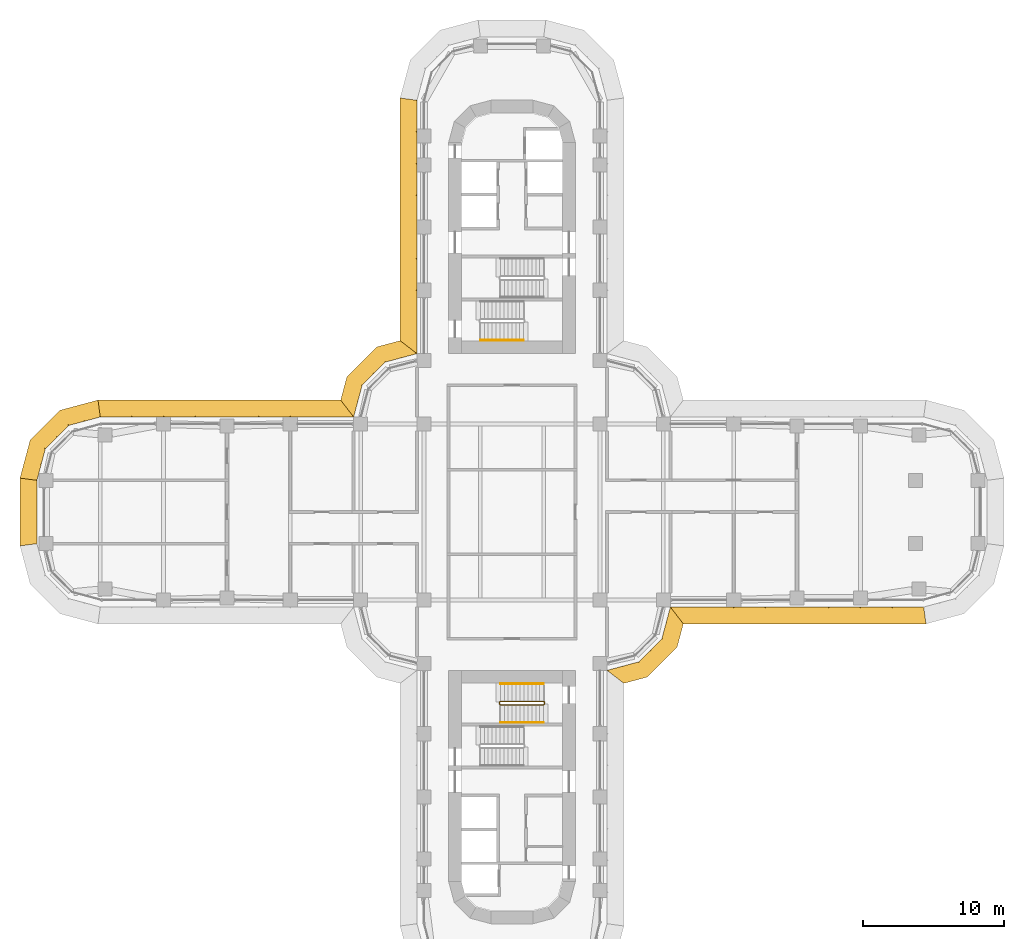
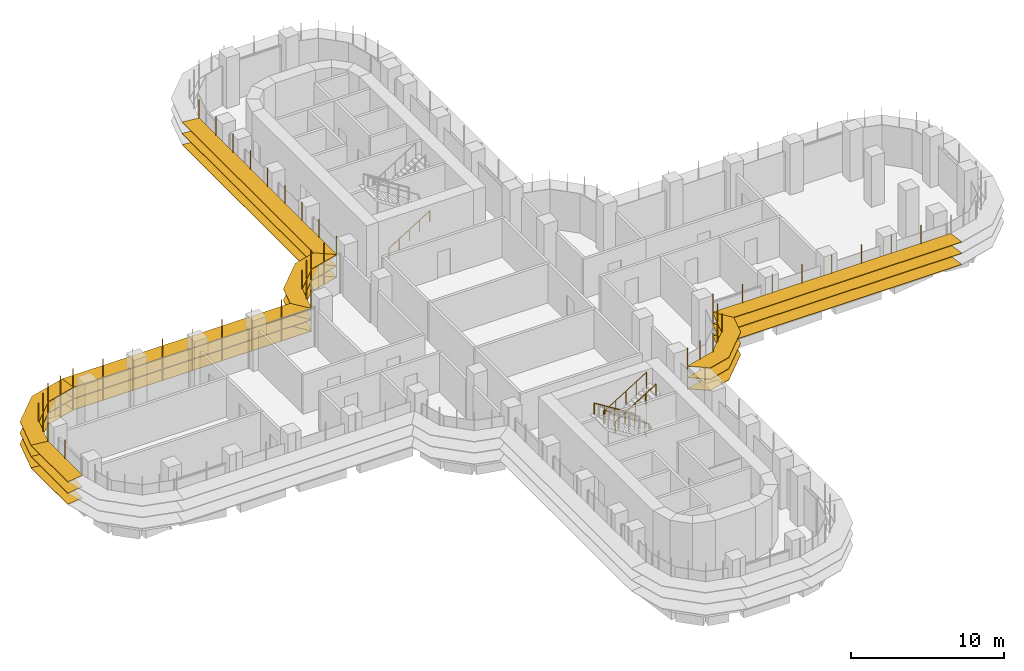
# One storey, part 21 of 23: 7 shading devices, 4 railings.
"""IFC4 building model written with IfcOpenShell, lengths in metres."""

from ifc_helpers import new_model, si_unit, direction, frame, origin, origin_2d, place, context, subcontext, project, spatial, polyline, circle, outline, extrude, faceted_brep, source, transform, mapped, material, type_object, element, save


model = new_model("IFC4")

# Units and contexts
model_context = context("Model", 3, precision=1e-05, world=origin(), true_north=direction((0.0, 1.0)))
body_context = subcontext(model_context, "Body", "Model", "MODEL_VIEW")
ifc_project = project(units=[si_unit("LENGTHUNIT", "METRE"), si_unit("AREAUNIT", "SQUARE_METRE"), si_unit("VOLUMEUNIT", "CUBIC_METRE"), si_unit("PLANEANGLEUNIT", "RADIAN"), si_unit("MASSUNIT", "GRAM", prefix="KILO")], contexts=[model_context])

# Site, building, storey
site_placement = place(None, origin())
site = spatial("IfcSite", under=ifc_project, at=site_placement, CompositionType="ELEMENT")
building_placement = place(site_placement, origin())
building = spatial("IfcBuilding", under=site, at=building_placement, Name="Zarbagh Exchange Tower", CompositionType="ELEMENT")
storey_placement = place(building_placement, frame((0.0, 0.0, 35.39990234375)))
storey = spatial("IfcBuildingStorey", under=building, at=storey_placement, Name="L07", CompositionType="ELEMENT", Elevation=35.39990234375)

# Railings
ifc_material_1 = material(Name="Stainless steel", Category="steel")
railing_type_1 = type_object("IfcRailingType", Name="Stair guard 1100 mm", PredefinedType="GUARDRAIL", material=ifc_material_1)
railing_1_placement = place(storey_placement, frame((-0.8798828125, -13.5, 2.10009765625)))
element("IfcRailing", 1, at=railing_1_placement, inside=storey, type_object=railing_type_1, Name="ST4 stair guard 1", PredefinedType="GUARDRAIL", context=body_context, shape_type="SweptSolid", body=[
    extrude(circle(Radius=0.02392578125, at=origin_2d()), frame((0.0, 0.0, 1.076171875), z_axis=(0.0, -1.0, 0.0), x_axis=(1.0, 0.0, 0.0)), (0.0, 0.0, 1.0), 0.14990234375),
    extrude(circle(Radius=0.02392578125, at=origin_2d()), frame((0.0, -0.14990234375, 1.076171875), z_axis=(0.263862480399, -0.265155923931, 0.927399011991), x_axis=(0.708833529934, 0.705375805398, 0.0)), (0.0, 0.0, 1.0), 0.188720703125),
    extrude(circle(Radius=0.02392578125, at=origin_2d()), frame((0.0498046875, -0.199951171875, 1.2509765625), z_axis=(0.847998304005, 0.0, 0.529998940003), x_axis=(0.0, 1.0, 0.0)), (0.0, 0.0, 1.0), 3.632080078125),
    extrude(circle(Radius=0.02392578125, at=origin_2d()), frame((3.1298828125, -0.199951171875, 3.17626953125), z_axis=(0.011914141993, 0.011914141993, -0.999858043145), x_axis=(-0.707106781187, 0.707106781187, 0.0)), (0.0, 0.0, 1.0), 4.20068359375),
    extrude(circle(Radius=0.02392578125, at=origin_2d()), frame((3.179931640625, -0.14990234375, -1.02392578125), z_axis=(0.0, 1.0, 0.0), x_axis=(-1.0, 0.0, 0.0)), (0.0, 0.0, 1.0), 0.14990234375),
    extrude(circle(Radius=0.02392578125, at=origin_2d()), frame((3.179931640625, 0.0, -1.02392578125), z_axis=(-0.265065253269, 0.265065253269, 0.927081885822), x_axis=(-0.707106781187, -0.707106781187, 0.0)), (0.0, 0.0, 1.0), 0.188720703125),
    extrude(circle(Radius=0.02392578125, at=origin_2d()), frame((3.1298828125, 0.050048828125, -0.84912109375), z_axis=(-0.847998304005, 0.0, 0.529998940003), x_axis=(0.0, -1.0, 0.0)), (0.0, 0.0, 1.0), 3.632080078125),
    extrude(circle(Radius=0.02099609375, at=origin_2d()), origin(), (0.0, 0.0, 1.0), 1.052001953125),
    extrude(circle(Radius=0.02099609375, at=origin_2d()), frame((0.0, -0.14990234375, 0.0)), (0.0, 0.0, 1.0), 1.052001953125),
    extrude(circle(Radius=0.02099609375, at=origin_2d()), frame((0.0498046875, -0.199951171875, 0.175048828125)), (0.0, 0.0, 1.0), 1.052001953125),
    extrude(circle(Radius=0.02099609375, at=origin_2d()), frame((0.81982421875, -0.199951171875, 0.65625)), (0.0, 0.0, 1.0), 1.052001953125),
    extrude(circle(Radius=0.02099609375, at=origin_2d()), frame((1.58984375, -0.199951171875, 1.1376953125)), (0.0, 0.0, 1.0), 1.052001953125),
    extrude(circle(Radius=0.02099609375, at=origin_2d()), frame((2.35986328125, -0.199951171875, 1.618896484375)), (0.0, 0.0, 1.0), 1.052001953125),
    extrude(circle(Radius=0.02099609375, at=origin_2d()), frame((3.1298828125, -0.199951171875, 2.10009765625)), (0.0, 0.0, 1.0), 1.052001953125),
    extrude(circle(Radius=0.02099609375, at=origin_2d()), frame((3.142333984375, -0.1875, 1.050048828125)), (0.0, 0.0, 1.0), 1.052001953125),
    extrude(circle(Radius=0.02099609375, at=origin_2d()), frame((3.15478515625, -0.1748046875, 0.0)), (0.0, 0.0, 1.0), 1.052001953125),
    extrude(circle(Radius=0.02099609375, at=origin_2d()), frame((3.16748046875, -0.162353515625, -1.050048828125)), (0.0, 0.0, 1.0), 1.052001953125),
    extrude(circle(Radius=0.02099609375, at=origin_2d()), frame((3.179931640625, -0.14990234375, -2.10009765625)), (0.0, 0.0, 1.0), 1.052001953125),
    extrude(circle(Radius=0.02099609375, at=origin_2d()), frame((3.179931640625, 0.0, -2.10009765625)), (0.0, 0.0, 1.0), 1.052001953125),
    extrude(circle(Radius=0.02099609375, at=origin_2d()), frame((3.1298828125, 0.050048828125, -1.925048828125)), (0.0, 0.0, 1.0), 1.052001953125),
    extrude(circle(Radius=0.02099609375, at=origin_2d()), frame((2.35986328125, 0.050048828125, -1.44384765625)), (0.0, 0.0, 1.0), 1.052001953125),
    extrude(circle(Radius=0.02099609375, at=origin_2d()), frame((1.58984375, 0.050048828125, -0.96240234375)), (0.0, 0.0, 1.0), 1.052001953125),
    extrude(circle(Radius=0.02099609375, at=origin_2d()), frame((0.81982421875, 0.050048828125, -0.481201171875)), (0.0, 0.0, 1.0), 1.052001953125),
    extrude(circle(Radius=0.02099609375, at=origin_2d()), frame((0.0498046875, 0.050048828125, 0.0)), (0.0, 0.0, 1.0), 1.052001953125),
])
railing_type_2 = type_object("IfcRailingType", Name="Stair handrail 900 mm", PredefinedType="HANDRAIL", material=ifc_material_1)
railing_2_placement = place(storey_placement, frame((-2.25, 12.199951171875, 0.175048828125)))
element("IfcRailing", 2, at=railing_2_placement, inside=storey, type_object=railing_type_2, Name="ST2 stair handrail 1", PredefinedType="HANDRAIL", context=body_context, shape_type="SweptSolid", body=[
    extrude(circle(Radius=0.02392578125, at=origin_2d()), frame((0.0, 0.0, 0.8759765625), z_axis=(0.847998304005, 0.0, 0.529998940003), x_axis=(0.0, 1.0, 0.0)), (0.0, 0.0, 1.0), 3.632080078125),
    extrude(circle(Radius=0.02099609375, at=origin_2d()), origin(), (0.0, 0.0, 1.0), 0.851806640625),
    extrude(circle(Radius=0.02099609375, at=origin_2d()), frame((0.77001953125, 0.0, 0.481201171875)), (0.0, 0.0, 1.0), 0.851806640625),
    extrude(circle(Radius=0.02099609375, at=origin_2d()), frame((1.5400390625, 0.0, 0.96240234375)), (0.0, 0.0, 1.0), 0.851806640625),
    extrude(circle(Radius=0.02099609375, at=origin_2d()), frame((2.31005859375, 0.0, 1.44384765625)), (0.0, 0.0, 1.0), 0.851806640625),
    extrude(circle(Radius=0.02099609375, at=origin_2d()), frame((3.080078125, 0.0, 1.925048828125)), (0.0, 0.0, 1.0), 0.851806640625),
])
railing_3_placement = place(storey_placement, frame((2.25, -12.199951171875, 0.175048828125)))
element("IfcRailing", 3, at=railing_3_placement, inside=storey, type_object=railing_type_2, Name="ST4 stair handrail 1", PredefinedType="HANDRAIL", context=body_context, shape_type="SweptSolid", body=[
    extrude(circle(Radius=0.02392578125, at=origin_2d()), frame((0.0, 0.0, 0.8759765625), z_axis=(-0.847998304005, 0.0, 0.529998940003), x_axis=(0.0, -1.0, 0.0)), (0.0, 0.0, 1.0), 3.632080078125),
    extrude(circle(Radius=0.02099609375, at=origin_2d()), origin(), (0.0, 0.0, 1.0), 0.851806640625),
    extrude(circle(Radius=0.02099609375, at=origin_2d()), frame((-0.77001953125, 0.0, 0.481201171875)), (0.0, 0.0, 1.0), 0.851806640625),
    extrude(circle(Radius=0.02099609375, at=origin_2d()), frame((-1.5400390625, 0.0, 0.96240234375)), (0.0, 0.0, 1.0), 0.851806640625),
    extrude(circle(Radius=0.02099609375, at=origin_2d()), frame((-2.31005859375, 0.0, 1.44384765625)), (0.0, 0.0, 1.0), 0.851806640625),
    extrude(circle(Radius=0.02099609375, at=origin_2d()), frame((-3.080078125, 0.0, 1.925048828125)), (0.0, 0.0, 1.0), 0.851806640625),
])
railing_4_placement = place(storey_placement, frame((-0.830078125, -14.949951171875, 2.275146484375)))
element("IfcRailing", 4, at=railing_4_placement, inside=storey, type_object=railing_type_2, Name="ST4 stair handrail 2", PredefinedType="HANDRAIL", context=body_context, shape_type="SweptSolid", body=[
    extrude(circle(Radius=0.02392578125, at=origin_2d()), frame((0.0, 0.0, 0.8759765625), z_axis=(0.847998304005, 0.0, 0.529998940003), x_axis=(0.0, 1.0, 0.0)), (0.0, 0.0, 1.0), 3.632080078125),
    extrude(circle(Radius=0.02099609375, at=origin_2d()), origin(), (0.0, 0.0, 1.0), 0.851806640625),
    extrude(circle(Radius=0.02099609375, at=origin_2d()), frame((0.77001953125, 0.0, 0.481201171875)), (0.0, 0.0, 1.0), 0.851806640625),
    extrude(circle(Radius=0.02099609375, at=origin_2d()), frame((1.5400390625, 0.0, 0.96240234375)), (0.0, 0.0, 1.0), 0.851806640625),
    extrude(circle(Radius=0.02099609375, at=origin_2d()), frame((2.31005859375, 0.0, 1.44384765625)), (0.0, 0.0, 1.0), 0.851806640625),
    extrude(circle(Radius=0.02099609375, at=origin_2d()), frame((3.080078125, 0.0, 1.925048828125)), (0.0, 0.0, 1.0), 0.851806640625),
])

# Shading devices
ifc_material_2 = material(Name="Anodised aluminium blades and brackets", Category="aluminium")
shading_device_type = type_object("IfcShadingDeviceType", Name="SUNSHADE louvre band, 0 degree blades", PredefinedType="JALOUSIE", material=ifc_material_2)
shared_shape_1 = source(origin(), body_context, "Body", "Brep", [
    faceted_brep([(0.0, 0.0, 0.0), (0.0, 0.0, -0.0400390625), (-0.157958984375, -1.199951171875, -0.0400390625), (-0.157958984375, -1.199951171875, 0.0), (2.65087890625, -1.199951171875, 0.0), (2.65087890625, -1.199951171875, -0.0400390625), (2.329345703125, 0.0, -0.0400390625), (2.329345703125, 0.0, 0.0)], [[[0, 1, 2, 3]], [[4, 5, 6, 7]], [[0, 7, 6, 1]], [[1, 6, 5, 2]], [[2, 5, 4, 3]], [[3, 4, 7, 0]]]),
])
shared_shape_2 = source(origin(), body_context, "Body", "Brep", [
    faceted_brep([(0.0, 0.0, 0.0), (0.0, 0.0, -0.0400390625), (-0.321533203125, -1.199951171875, -0.0400390625), (-0.321533203125, -1.199951171875, 0.0), (2.65087890625, -1.199951171875, 0.0), (2.65087890625, -1.199951171875, -0.0400390625), (2.329345703125, 0.0, -0.0400390625), (2.329345703125, 0.0, 0.0)], [[[0, 1, 2, 3]], [[4, 5, 6, 7]], [[0, 7, 6, 1]], [[1, 6, 5, 2]], [[2, 5, 4, 3]], [[3, 4, 7, 0]]]),
])
shared_shape_3 = source(origin(), body_context, "Body", "Brep", [
    faceted_brep([(0.0, 0.0, 0.0), (0.0, 0.0, -0.0400390625), (-0.321533203125, -1.199951171875, -0.0400390625), (-0.321533203125, -1.199951171875, 0.0), (2.4873046875, -1.199951171875, 0.0), (2.4873046875, -1.199951171875, -0.0400390625), (2.329345703125, 0.0, -0.0400390625), (2.329345703125, 0.0, 0.0)], [[[0, 1, 2, 3]], [[4, 5, 6, 7]], [[0, 7, 6, 1]], [[1, 6, 5, 2]], [[2, 5, 4, 3]], [[3, 4, 7, 0]]]),
])
shared_shape_4 = source(origin(), body_context, "Body", "SweptSolid", [
    extrude(outline(polyline([(0.0, -0.012451171875), (0.06005859375, -0.012451171875), (0.06005859375, 0.012451171875), (0.0, 0.012451171875), (0.0, -0.012451171875)])), origin(), (0.0, 0.0, 1.0), 3.35009765625),
])
placement = place(storey_placement, origin())
element("IfcShadingDevice", 5, at=placement, inside=storey, type_object=shading_device_type, Name="SS17 sunshade band", PredefinedType="JALOUSIE", context=body_context, shape_type="MappedRepresentation", body=[
    mapped(shared_shape_1, transform((-29.25, 6.75, 2.7001953125), x_axis=(-0.965924289636, -0.258824779902, 0.0), y_axis=(0.258824779902, -0.965924289636, 0.0), z_axis=(0.0, 0.0, 1.0))),
    mapped(shared_shape_1, transform((-29.25, 6.75, 1.800048828125), x_axis=(-0.965924289636, -0.258824779902, 0.0), y_axis=(0.258824779902, -0.965924289636, 0.0), z_axis=(0.0, 0.0, 1.0))),
    mapped(shared_shape_1, transform((-29.25, 6.75, 0.900146484375), x_axis=(-0.965924289636, -0.258824779902, 0.0), y_axis=(0.258824779902, -0.965924289636, 0.0), z_axis=(0.0, 0.0, 1.0))),
    mapped(shared_shape_2, transform((-31.5, 6.147216796875, 2.7001953125), x_axis=(-0.707106781187, -0.707106781187, 0.0), y_axis=(0.707106781187, -0.707106781187, 0.0), z_axis=(0.0, 0.0, 1.0))),
    mapped(shared_shape_2, transform((-31.5, 6.147216796875, 1.800048828125), x_axis=(-0.707106781187, -0.707106781187, 0.0), y_axis=(0.707106781187, -0.707106781187, 0.0), z_axis=(0.0, 0.0, 1.0))),
    mapped(shared_shape_2, transform((-31.5, 6.147216796875, 0.900146484375), x_axis=(-0.707106781187, -0.707106781187, 0.0), y_axis=(0.707106781187, -0.707106781187, 0.0), z_axis=(0.0, 0.0, 1.0))),
    mapped(shared_shape_3, transform((-33.147216796875, 4.5, 2.7001953125), x_axis=(-0.258824779902, -0.965924289636, 0.0), y_axis=(0.965924289636, -0.258824779902, 0.0), z_axis=(0.0, 0.0, 1.0))),
    mapped(shared_shape_3, transform((-33.147216796875, 4.5, 1.800048828125), x_axis=(-0.258824779902, -0.965924289636, 0.0), y_axis=(0.965924289636, -0.258824779902, 0.0), z_axis=(0.0, 0.0, 1.0))),
    mapped(shared_shape_3, transform((-33.147216796875, 4.5, 0.900146484375), x_axis=(-0.258824779902, -0.965924289636, 0.0), y_axis=(0.965924289636, -0.258824779902, 0.0), z_axis=(0.0, 0.0, 1.0))),
    mapped(shared_shape_4, transform((-29.25, 6.75, 0.830078125), x_axis=(-0.130529263012, 0.991444457092, 0.0), y_axis=(-0.991444457092, -0.130529263012, 0.0), z_axis=(0.0, 0.0, 1.0))),
    mapped(shared_shape_4, transform((-30.375, 6.448486328125, 0.830078125), x_axis=(-0.258825058029, 0.96592421511, 0.0), y_axis=(-0.96592421511, -0.258825058029, 0.0), z_axis=(0.0, 0.0, 1.0))),
    mapped(shared_shape_4, transform((-31.5, 6.147216796875, 0.830078125), x_axis=(-0.50000275701, 0.866023812018, 0.0), y_axis=(-0.866023812018, -0.50000275701, 0.0), z_axis=(0.0, 0.0, 1.0))),
    mapped(shared_shape_4, transform((-32.323486328125, 5.323486328125, 0.830078125), x_axis=(-0.707106781187, 0.707106781187, 0.0), y_axis=(-0.707106781187, -0.707106781187, 0.0), z_axis=(0.0, 0.0, 1.0))),
    mapped(shared_shape_4, transform((-33.147216796875, 4.5, 0.830078125), x_axis=(-0.866023812018, 0.50000275701, 0.0), y_axis=(-0.50000275701, -0.866023812018, 0.0), z_axis=(0.0, 0.0, 1.0))),
    mapped(shared_shape_4, transform((-33.448486328125, 3.375, 0.830078125), x_axis=(-0.96592421511, 0.258825058029, 0.0), y_axis=(-0.258825058029, -0.96592421511, 0.0), z_axis=(0.0, 0.0, 1.0))),
])
shared_shape_5 = source(origin(), body_context, "Body", "Brep", [
    faceted_brep([(0.0, 0.0, 0.0), (0.0, 0.0, -0.0400390625), (0.9208984375, -1.199951171875, -0.0400390625), (0.9208984375, -1.199951171875, 0.0), (2.65087890625, -1.199951171875, 0.0), (2.65087890625, -1.199951171875, -0.0400390625), (2.329345703125, 0.0, -0.0400390625), (2.329345703125, 0.0, 0.0)], [[[0, 1, 2, 3]], [[4, 5, 6, 7]], [[0, 7, 6, 1]], [[1, 6, 5, 2]], [[2, 5, 4, 3]], [[3, 4, 7, 0]]]),
])
shared_shape_6 = source(origin(), body_context, "Body", "Brep", [
    faceted_brep([(0.0, 0.0, 0.0), (0.0, 0.0, -0.0400390625), (-0.321533203125, -1.199951171875, -0.0400390625), (-0.321533203125, -1.199951171875, 0.0), (1.40869140625, -1.199951171875, 0.0), (1.40869140625, -1.199951171875, -0.0400390625), (2.329345703125, 0.0, -0.0400390625), (2.329345703125, 0.0, 0.0)], [[[0, 1, 2, 3]], [[4, 5, 6, 7]], [[0, 7, 6, 1]], [[1, 6, 5, 2]], [[2, 5, 4, 3]], [[3, 4, 7, 0]]]),
])
element("IfcShadingDevice", 6, at=placement, inside=storey, type_object=shading_device_type, Name="SS03 sunshade band", PredefinedType="JALOUSIE", context=body_context, shape_type="MappedRepresentation", body=[
    mapped(shared_shape_5, transform((6.75, -11.25, 2.7001953125), x_axis=(0.965924289636, 0.258824779902, 0.0), y_axis=(-0.258824779902, 0.965924289636, 0.0), z_axis=(0.0, 0.0, 1.0))),
    mapped(shared_shape_5, transform((6.75, -11.25, 1.800048828125), x_axis=(0.965924289636, 0.258824779902, 0.0), y_axis=(-0.258824779902, 0.965924289636, 0.0), z_axis=(0.0, 0.0, 1.0))),
    mapped(shared_shape_5, transform((6.75, -11.25, 0.900146484375), x_axis=(0.965924289636, 0.258824779902, 0.0), y_axis=(-0.258824779902, 0.965924289636, 0.0), z_axis=(0.0, 0.0, 1.0))),
    mapped(shared_shape_2, transform((9.0, -10.647216796875, 2.7001953125), x_axis=(0.707106781187, 0.707106781187, 0.0), y_axis=(-0.707106781187, 0.707106781187, 0.0), z_axis=(0.0, 0.0, 1.0))),
    mapped(shared_shape_2, transform((9.0, -10.647216796875, 1.800048828125), x_axis=(0.707106781187, 0.707106781187, 0.0), y_axis=(-0.707106781187, 0.707106781187, 0.0), z_axis=(0.0, 0.0, 1.0))),
    mapped(shared_shape_2, transform((9.0, -10.647216796875, 0.900146484375), x_axis=(0.707106781187, 0.707106781187, 0.0), y_axis=(-0.707106781187, 0.707106781187, 0.0), z_axis=(0.0, 0.0, 1.0))),
    mapped(shared_shape_6, transform((10.647216796875, -9.0, 2.7001953125), x_axis=(0.258824779902, 0.965924289636, 0.0), y_axis=(-0.965924289636, 0.258824779902, 0.0), z_axis=(0.0, 0.0, 1.0))),
    mapped(shared_shape_6, transform((10.647216796875, -9.0, 1.800048828125), x_axis=(0.258824779902, 0.965924289636, 0.0), y_axis=(-0.965924289636, 0.258824779902, 0.0), z_axis=(0.0, 0.0, 1.0))),
    mapped(shared_shape_6, transform((10.647216796875, -9.0, 0.900146484375), x_axis=(0.258824779902, 0.965924289636, 0.0), y_axis=(-0.965924289636, 0.258824779902, 0.0), z_axis=(0.0, 0.0, 1.0))),
    mapped(shared_shape_4, transform((6.75, -11.25, 0.830078125), x_axis=(0.793355287, -0.608758892, 0.0), y_axis=(0.608758892, 0.793355287, 0.0), z_axis=(0.0, 0.0, 1.0))),
    mapped(shared_shape_4, transform((7.875, -10.948486328125, 0.830078125), x_axis=(0.258825058029, -0.96592421511, 0.0), y_axis=(0.96592421511, 0.258825058029, 0.0), z_axis=(0.0, 0.0, 1.0))),
    mapped(shared_shape_4, transform((9.0, -10.647216796875, 0.830078125), x_axis=(0.50000275701, -0.866023812018, 0.0), y_axis=(0.866023812018, 0.50000275701, 0.0), z_axis=(0.0, 0.0, 1.0))),
    mapped(shared_shape_4, transform((9.823486328125, -9.823486328125, 0.830078125), x_axis=(0.707106781187, -0.707106781187, 0.0), y_axis=(0.707106781187, 0.707106781187, 0.0), z_axis=(0.0, 0.0, 1.0))),
    mapped(shared_shape_4, transform((10.647216796875, -9.0, 0.830078125), x_axis=(0.866023812018, -0.50000275701, 0.0), y_axis=(0.50000275701, 0.866023812018, 0.0), z_axis=(0.0, 0.0, 1.0))),
    mapped(shared_shape_4, transform((10.948486328125, -7.875, 0.830078125), x_axis=(0.96592421511, -0.258825058029, 0.0), y_axis=(0.258825058029, 0.96592421511, 0.0), z_axis=(0.0, 0.0, 1.0))),
])
element("IfcShadingDevice", 7, at=placement, inside=storey, type_object=shading_device_type, Name="SS15 sunshade band", PredefinedType="JALOUSIE", context=body_context, shape_type="MappedRepresentation", body=[
    mapped(shared_shape_5, transform((-6.75, 11.25, 2.7001953125), x_axis=(-0.965924289636, -0.258824779902, 0.0), y_axis=(0.258824779902, -0.965924289636, 0.0), z_axis=(0.0, 0.0, 1.0))),
    mapped(shared_shape_5, transform((-6.75, 11.25, 1.800048828125), x_axis=(-0.965924289636, -0.258824779902, 0.0), y_axis=(0.258824779902, -0.965924289636, 0.0), z_axis=(0.0, 0.0, 1.0))),
    mapped(shared_shape_5, transform((-6.75, 11.25, 0.900146484375), x_axis=(-0.965924289636, -0.258824779902, 0.0), y_axis=(0.258824779902, -0.965924289636, 0.0), z_axis=(0.0, 0.0, 1.0))),
    mapped(shared_shape_2, transform((-9.0, 10.647216796875, 2.7001953125), x_axis=(-0.707106781187, -0.707106781187, 0.0), y_axis=(0.707106781187, -0.707106781187, 0.0), z_axis=(0.0, 0.0, 1.0))),
    mapped(shared_shape_2, transform((-9.0, 10.647216796875, 1.800048828125), x_axis=(-0.707106781187, -0.707106781187, 0.0), y_axis=(0.707106781187, -0.707106781187, 0.0), z_axis=(0.0, 0.0, 1.0))),
    mapped(shared_shape_2, transform((-9.0, 10.647216796875, 0.900146484375), x_axis=(-0.707106781187, -0.707106781187, 0.0), y_axis=(0.707106781187, -0.707106781187, 0.0), z_axis=(0.0, 0.0, 1.0))),
    mapped(shared_shape_6, transform((-10.647216796875, 9.0, 2.7001953125), x_axis=(-0.258824779902, -0.965924289636, 0.0), y_axis=(0.965924289636, -0.258824779902, 0.0), z_axis=(0.0, 0.0, 1.0))),
    mapped(shared_shape_6, transform((-10.647216796875, 9.0, 1.800048828125), x_axis=(-0.258824779902, -0.965924289636, 0.0), y_axis=(0.965924289636, -0.258824779902, 0.0), z_axis=(0.0, 0.0, 1.0))),
    mapped(shared_shape_6, transform((-10.647216796875, 9.0, 0.900146484375), x_axis=(-0.258824779902, -0.965924289636, 0.0), y_axis=(0.965924289636, -0.258824779902, 0.0), z_axis=(0.0, 0.0, 1.0))),
    mapped(shared_shape_4, transform((-6.75, 11.25, 0.830078125), x_axis=(-0.793355287, 0.608758892, 0.0), y_axis=(-0.608758892, -0.793355287, 0.0), z_axis=(0.0, 0.0, 1.0))),
    mapped(shared_shape_4, transform((-7.875, 10.948486328125, 0.830078125), x_axis=(-0.258825058029, 0.96592421511, 0.0), y_axis=(-0.96592421511, -0.258825058029, 0.0), z_axis=(0.0, 0.0, 1.0))),
    mapped(shared_shape_4, transform((-9.0, 10.647216796875, 0.830078125), x_axis=(-0.50000275701, 0.866023812018, 0.0), y_axis=(-0.866023812018, -0.50000275701, 0.0), z_axis=(0.0, 0.0, 1.0))),
    mapped(shared_shape_4, transform((-9.823486328125, 9.823486328125, 0.830078125), x_axis=(-0.707106781187, 0.707106781187, 0.0), y_axis=(-0.707106781187, -0.707106781187, 0.0), z_axis=(0.0, 0.0, 1.0))),
    mapped(shared_shape_4, transform((-10.647216796875, 9.0, 0.830078125), x_axis=(-0.866023812018, 0.50000275701, 0.0), y_axis=(-0.50000275701, -0.866023812018, 0.0), z_axis=(0.0, 0.0, 1.0))),
    mapped(shared_shape_4, transform((-10.948486328125, 7.875, 0.830078125), x_axis=(-0.96592421511, 0.258825058029, 0.0), y_axis=(-0.258825058029, -0.96592421511, 0.0), z_axis=(0.0, 0.0, 1.0))),
])
shared_shape_7 = source(origin(), body_context, "Body", "Brep", [
    faceted_brep([(0.0, 0.0, 0.0), (0.0, 0.0, -0.0400390625), (0.9208984375, -1.199951171875, -0.0400390625), (0.9208984375, -1.199951171875, 0.0), (18.157958984375, -1.199951171875, 0.0), (18.157958984375, -1.199951171875, -0.0400390625), (18.0, 0.0, -0.0400390625), (18.0, 0.0, 0.0)], [[[0, 1, 2, 3]], [[4, 5, 6, 7]], [[0, 7, 6, 1]], [[1, 6, 5, 2]], [[2, 5, 4, 3]], [[3, 4, 7, 0]]]),
])
element("IfcShadingDevice", 8, at=placement, inside=storey, type_object=shading_device_type, Name="SS04 sunshade band", PredefinedType="JALOUSIE", context=body_context, shape_type="MappedRepresentation", body=[
    mapped(shared_shape_7, transform((11.25, -6.75, 2.7001953125), x_axis=(1.0, 0.0, 0.0), y_axis=(0.0, 1.0, 0.0), z_axis=(0.0, 0.0, 1.0))),
    mapped(shared_shape_7, transform((11.25, -6.75, 1.800048828125), x_axis=(1.0, 0.0, 0.0), y_axis=(0.0, 1.0, 0.0), z_axis=(0.0, 0.0, 1.0))),
    mapped(shared_shape_7, transform((11.25, -6.75, 0.900146484375), x_axis=(1.0, 0.0, 0.0), y_axis=(0.0, 1.0, 0.0), z_axis=(0.0, 0.0, 1.0))),
    mapped(shared_shape_4, transform((11.25, -6.75, 0.830078125), x_axis=(0.608758892, -0.793355287, 0.0), y_axis=(0.793355287, 0.608758892, 0.0), z_axis=(0.0, 0.0, 1.0))),
    mapped(shared_shape_4, transform((13.5, -6.75, 0.830078125), x_axis=(0.0, -1.0, 0.0), y_axis=(1.0, 0.0, 0.0), z_axis=(0.0, 0.0, 1.0))),
    mapped(shared_shape_4, transform((15.75, -6.75, 0.830078125), x_axis=(0.0, -1.0, 0.0), y_axis=(1.0, 0.0, 0.0), z_axis=(0.0, 0.0, 1.0))),
    mapped(shared_shape_4, transform((18.0, -6.75, 0.830078125), x_axis=(0.0, -1.0, 0.0), y_axis=(1.0, 0.0, 0.0), z_axis=(0.0, 0.0, 1.0))),
    mapped(shared_shape_4, transform((20.25, -6.75, 0.830078125), x_axis=(0.0, -1.0, 0.0), y_axis=(1.0, 0.0, 0.0), z_axis=(0.0, 0.0, 1.0))),
    mapped(shared_shape_4, transform((22.5, -6.75, 0.830078125), x_axis=(0.0, -1.0, 0.0), y_axis=(1.0, 0.0, 0.0), z_axis=(0.0, 0.0, 1.0))),
    mapped(shared_shape_4, transform((24.75, -6.75, 0.830078125), x_axis=(0.0, -1.0, 0.0), y_axis=(1.0, 0.0, 0.0), z_axis=(0.0, 0.0, 1.0))),
    mapped(shared_shape_4, transform((27.0, -6.75, 0.830078125), x_axis=(0.0, -1.0, 0.0), y_axis=(1.0, 0.0, 0.0), z_axis=(0.0, 0.0, 1.0))),
])
shared_shape_8 = source(origin(), body_context, "Body", "Brep", [
    faceted_brep([(0.0, 0.0, 0.0), (0.0, 0.0, -0.0400390625), (-0.157958984375, -1.199951171875, -0.0400390625), (-0.157958984375, -1.199951171875, 0.0), (17.0791015625, -1.199951171875, 0.0), (17.0791015625, -1.199951171875, -0.0400390625), (18.0, 0.0, -0.0400390625), (18.0, 0.0, 0.0)], [[[0, 1, 2, 3]], [[4, 5, 6, 7]], [[0, 7, 6, 1]], [[1, 6, 5, 2]], [[2, 5, 4, 3]], [[3, 4, 7, 0]]]),
])
element("IfcShadingDevice", 9, at=placement, inside=storey, type_object=shading_device_type, Name="SS14 sunshade band", PredefinedType="JALOUSIE", context=body_context, shape_type="MappedRepresentation", body=[
    mapped(shared_shape_8, transform((-6.75, 29.25, 2.7001953125), x_axis=(0.0, -1.0, 0.0), y_axis=(1.0, 0.0, 0.0), z_axis=(0.0, 0.0, 1.0))),
    mapped(shared_shape_8, transform((-6.75, 29.25, 1.800048828125), x_axis=(0.0, -1.0, 0.0), y_axis=(1.0, 0.0, 0.0), z_axis=(0.0, 0.0, 1.0))),
    mapped(shared_shape_8, transform((-6.75, 29.25, 0.900146484375), x_axis=(0.0, -1.0, 0.0), y_axis=(1.0, 0.0, 0.0), z_axis=(0.0, 0.0, 1.0))),
    mapped(shared_shape_4, transform((-6.75, 29.25, 0.830078125), x_axis=(-0.991444457092, 0.130529263012, 0.0), y_axis=(-0.130529263012, -0.991444457092, 0.0), z_axis=(0.0, 0.0, 1.0))),
    mapped(shared_shape_4, transform((-6.75, 27.0, 0.830078125), x_axis=(-1.0, 0.0, 0.0), y_axis=(0.0, -1.0, 0.0), z_axis=(0.0, 0.0, 1.0))),
    mapped(shared_shape_4, transform((-6.75, 24.75, 0.830078125), x_axis=(-1.0, 0.0, 0.0), y_axis=(0.0, -1.0, 0.0), z_axis=(0.0, 0.0, 1.0))),
    mapped(shared_shape_4, transform((-6.75, 22.5, 0.830078125), x_axis=(-1.0, 0.0, 0.0), y_axis=(0.0, -1.0, 0.0), z_axis=(0.0, 0.0, 1.0))),
    mapped(shared_shape_4, transform((-6.75, 20.25, 0.830078125), x_axis=(-1.0, 0.0, 0.0), y_axis=(0.0, -1.0, 0.0), z_axis=(0.0, 0.0, 1.0))),
    mapped(shared_shape_4, transform((-6.75, 18.0, 0.830078125), x_axis=(-1.0, 0.0, 0.0), y_axis=(0.0, -1.0, 0.0), z_axis=(0.0, 0.0, 1.0))),
    mapped(shared_shape_4, transform((-6.75, 15.75, 0.830078125), x_axis=(-1.0, 0.0, 0.0), y_axis=(0.0, -1.0, 0.0), z_axis=(0.0, 0.0, 1.0))),
    mapped(shared_shape_4, transform((-6.75, 13.5, 0.830078125), x_axis=(-1.0, 0.0, 0.0), y_axis=(0.0, -1.0, 0.0), z_axis=(0.0, 0.0, 1.0))),
])
element("IfcShadingDevice", 10, at=placement, inside=storey, type_object=shading_device_type, Name="SS16 sunshade band", PredefinedType="JALOUSIE", context=body_context, shape_type="MappedRepresentation", body=[
    mapped(shared_shape_7, transform((-11.25, 6.75, 2.7001953125), x_axis=(-1.0, 0.0, 0.0), y_axis=(0.0, -1.0, 0.0), z_axis=(0.0, 0.0, 1.0))),
    mapped(shared_shape_7, transform((-11.25, 6.75, 1.800048828125), x_axis=(-1.0, 0.0, 0.0), y_axis=(0.0, -1.0, 0.0), z_axis=(0.0, 0.0, 1.0))),
    mapped(shared_shape_7, transform((-11.25, 6.75, 0.900146484375), x_axis=(-1.0, 0.0, 0.0), y_axis=(0.0, -1.0, 0.0), z_axis=(0.0, 0.0, 1.0))),
    mapped(shared_shape_4, transform((-11.25, 6.75, 0.830078125), x_axis=(-0.608758892, 0.793355287, 0.0), y_axis=(-0.793355287, -0.608758892, 0.0), z_axis=(0.0, 0.0, 1.0))),
    mapped(shared_shape_4, transform((-13.5, 6.75, 0.830078125), x_axis=(0.0, 1.0, 0.0), y_axis=(-1.0, 0.0, 0.0), z_axis=(0.0, 0.0, 1.0))),
    mapped(shared_shape_4, transform((-15.75, 6.75, 0.830078125), x_axis=(0.0, 1.0, 0.0), y_axis=(-1.0, 0.0, 0.0), z_axis=(0.0, 0.0, 1.0))),
    mapped(shared_shape_4, transform((-18.0, 6.75, 0.830078125), x_axis=(0.0, 1.0, 0.0), y_axis=(-1.0, 0.0, 0.0), z_axis=(0.0, 0.0, 1.0))),
    mapped(shared_shape_4, transform((-20.25, 6.75, 0.830078125), x_axis=(0.0, 1.0, 0.0), y_axis=(-1.0, 0.0, 0.0), z_axis=(0.0, 0.0, 1.0))),
    mapped(shared_shape_4, transform((-22.5, 6.75, 0.830078125), x_axis=(0.0, 1.0, 0.0), y_axis=(-1.0, 0.0, 0.0), z_axis=(0.0, 0.0, 1.0))),
    mapped(shared_shape_4, transform((-24.75, 6.75, 0.830078125), x_axis=(0.0, 1.0, 0.0), y_axis=(-1.0, 0.0, 0.0), z_axis=(0.0, 0.0, 1.0))),
    mapped(shared_shape_4, transform((-27.0, 6.75, 0.830078125), x_axis=(0.0, 1.0, 0.0), y_axis=(-1.0, 0.0, 0.0), z_axis=(0.0, 0.0, 1.0))),
])
shared_shape_9 = source(origin(), body_context, "Body", "Brep", [
    faceted_brep([(0.0, 0.0, 0.0), (0.0, 0.0, -0.0400390625), (-0.157958984375, -1.199951171875, -0.0400390625), (-0.157958984375, -1.199951171875, 0.0), (4.657958984375, -1.199951171875, 0.0), (4.657958984375, -1.199951171875, -0.0400390625), (4.5, 0.0, -0.0400390625), (4.5, 0.0, 0.0)], [[[0, 1, 2, 3]], [[4, 5, 6, 7]], [[0, 7, 6, 1]], [[1, 6, 5, 2]], [[2, 5, 4, 3]], [[3, 4, 7, 0]]]),
])
element("IfcShadingDevice", 11, at=placement, inside=storey, type_object=shading_device_type, Name="SS18 sunshade band", PredefinedType="JALOUSIE", context=body_context, shape_type="MappedRepresentation", body=[
    mapped(shared_shape_9, transform((-33.75, 2.25, 2.7001953125), x_axis=(0.0, -1.0, 0.0), y_axis=(1.0, 0.0, 0.0), z_axis=(0.0, 0.0, 1.0))),
    mapped(shared_shape_9, transform((-33.75, 2.25, 1.800048828125), x_axis=(0.0, -1.0, 0.0), y_axis=(1.0, 0.0, 0.0), z_axis=(0.0, 0.0, 1.0))),
    mapped(shared_shape_9, transform((-33.75, 2.25, 0.900146484375), x_axis=(0.0, -1.0, 0.0), y_axis=(1.0, 0.0, 0.0), z_axis=(0.0, 0.0, 1.0))),
    mapped(shared_shape_4, transform((-33.75, 2.25, 0.830078125), x_axis=(-0.991444457092, 0.130529263012, 0.0), y_axis=(-0.130529263012, -0.991444457092, 0.0), z_axis=(0.0, 0.0, 1.0))),
    mapped(shared_shape_4, transform((-33.75, 0.0, 0.830078125), x_axis=(-1.0, 0.0, 0.0), y_axis=(0.0, -1.0, 0.0), z_axis=(0.0, 0.0, 1.0))),
])

save(model, "model.ifc")
